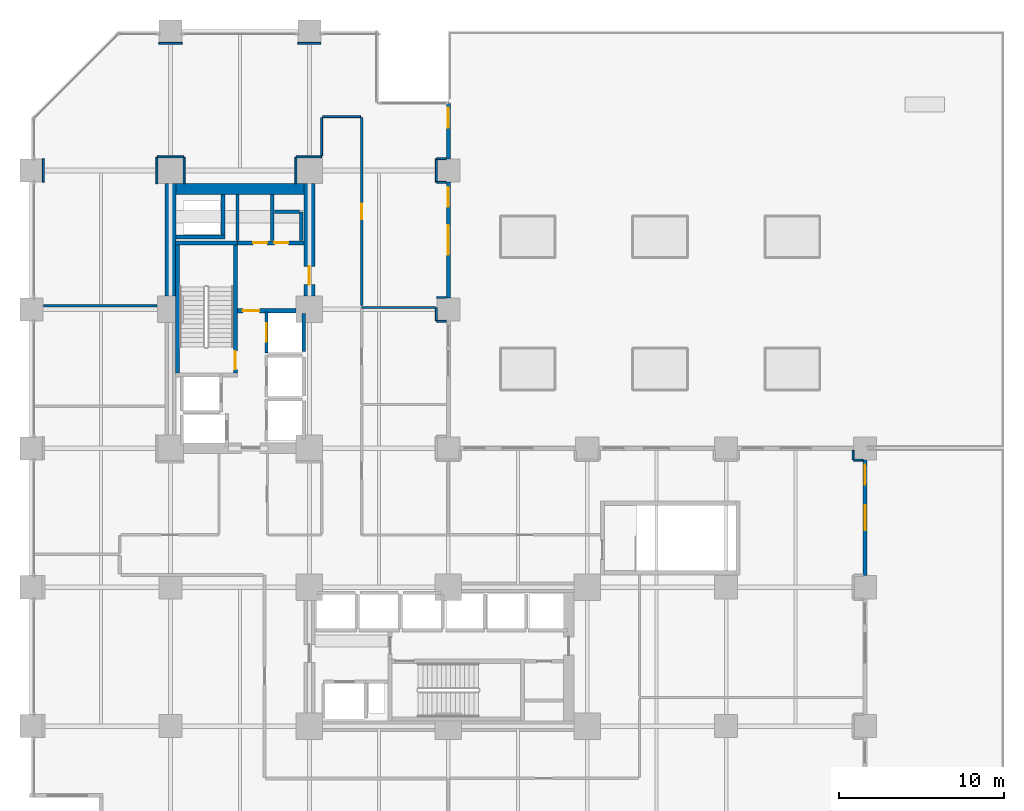
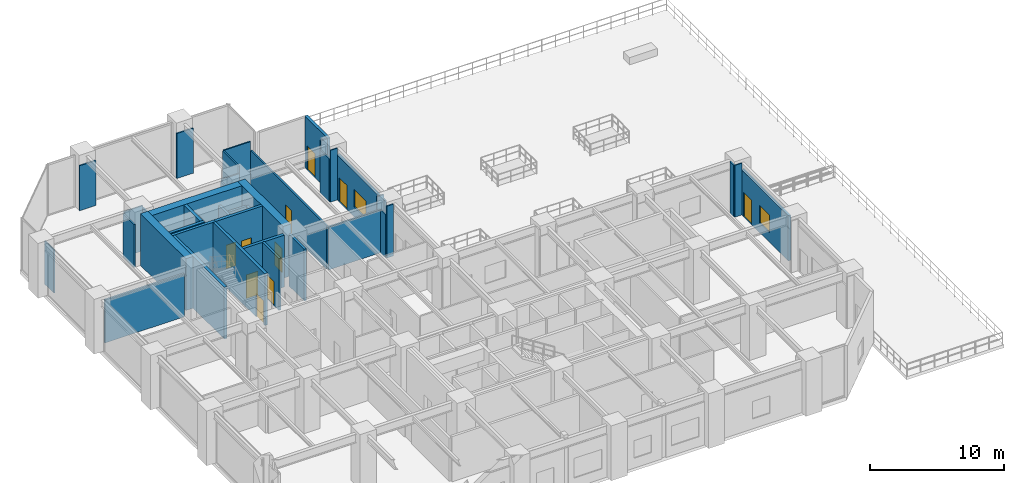
# One storey, part 16 of 21: 40 walls, 10 doors, 2 windows, 12 openings.
"""IFC4 building model written with IfcOpenShell, lengths in metres."""

from ifc_helpers import new_model, si_unit, direction, frame, frame_2d, origin, place, context, subcontext, project, spatial, rectangle, extrude, material, layer, layer_set, type_object, element, fill, save


model = new_model("IFC4")

# Units and contexts
model_context = context("Model", 3, precision=1e-05, world=origin(), true_north=direction((0.0, 1.0)))
body_context = subcontext(model_context, "Body", "Model", "MODEL_VIEW")
ifc_project = project(units=[si_unit("LENGTHUNIT", "METRE"), si_unit("AREAUNIT", "SQUARE_METRE"), si_unit("VOLUMEUNIT", "CUBIC_METRE"), si_unit("PLANEANGLEUNIT", "RADIAN"), si_unit("MASSUNIT", "GRAM", prefix="KILO")], contexts=[model_context])

# Site, building, storey
site_placement = place(None, origin())
site = spatial("IfcSite", under=ifc_project, at=site_placement, CompositionType="ELEMENT")
building_placement = place(site_placement, origin())
building = spatial("IfcBuilding", under=site, at=building_placement, Name="Nerrivon Quay Data Exchange", CompositionType="ELEMENT")
storey_placement = place(building_placement, frame((0.0, 0.0, 19.800048828125)))
storey = spatial("IfcBuildingStorey", under=building, at=storey_placement, Name="L04", CompositionType="ELEMENT", Elevation=19.800048828125)

# Wall, opening, door
ifc_material_1 = material(Name="Architectural terracotta precast concrete N50 (50 MPa)", Category="masonry")
ifc_layer_1 = layer(ifc_material_1, 0.239990234375)
ifc_layer_set_1 = layer_set([ifc_layer_1], Name="Architectural terracotta precast concrete N50 (50 MPa)")
wall_type_1 = type_object("IfcWallType", Name="EW-PREC-240", PredefinedType="STANDARD", material=ifc_layer_set_1)
wall_1_placement = place(storey_placement, frame((25.199951171875, 46.080078125, 0.0), z_axis=(0.0, 0.0, 1.0), x_axis=(0.0, -1.0, 0.0)))
wall_1 = element("IfcWall", 1, at=wall_1_placement, inside=storey, type_object=wall_type_1, Name="L04 Terrace Host Wall 25", PredefinedType="STANDARD", context=body_context, shape_type="SweptSolid", body=[
    extrude(rectangle(XDim=3.380126953125, YDim=0.239990234375, at=frame_2d((1.68994140625, 0.0))), origin(), (0.0, 0.0, 1.0), 4.724853515625),
])
opening_1_placement = place(wall_1_placement, frame((0.300048828125, 0.0, 0.0)))
opening_1 = element("IfcOpeningElement", 2, at=opening_1_placement, cuts=wall_1, Name="Opening TD1", PredefinedType="OPENING", context=body_context, shape_type="SweptSolid", body=[
    extrude(rectangle(XDim=1.199951171875, YDim=2.199951171875, at=frame_2d((0.60009765625, 1.10009765625))), frame((0.0, 0.1298828125, 0.0), z_axis=(0.0, -1.0, 0.0), x_axis=(1.0, 0.0, 0.0)), (0.0, 0.0, 1.0), 0.260009765625),
])
ifc_material_2 = material(Name="Double-glazed low-E solar control glass", Category="glass")
door_type_1 = type_object("IfcDoorType", Name="DR-TERR-1200x2200", OperationType="NOTDEFINED", PredefinedType="DOOR", material=ifc_material_2)
door_1_placement = place(opening_1_placement, origin())
door_1 = element("IfcDoor", 3, at=door_1_placement, inside=storey, type_object=door_type_1, Name="L04 Outdoor Terrace Access Door 25", OperationType="SINGLE_SWING_RIGHT", OverallHeight=2.199951171875, OverallWidth=1.199951171875, PredefinedType="DOOR", context=body_context, shape_type="SweptSolid", body=[
    extrude(rectangle(XDim=1.199951171875, YDim=2.199951171875, at=frame_2d((0.60009765625, 1.10009765625))), frame((0.0, 0.02490234375, 0.0), z_axis=(0.0, -1.0, 0.0), x_axis=(1.0, 0.0, 0.0)), (0.0, 0.0, 1.0), 0.050048828125),
])
fill(opening_1, door_1)

# Wall, openings, door, window
wall_2_placement = place(storey_placement, frame((25.199951171875, 41.300048828125, 0.0), z_axis=(0.0, 0.0, 1.0), x_axis=(0.0, -1.0, 0.0)))
wall_2 = element("IfcWall", 4, at=wall_2_placement, inside=storey, type_object=wall_type_1, Name="L04 Terrace Host Wall 26", PredefinedType="STANDARD", context=body_context, shape_type="SweptSolid", body=[
    extrude(rectangle(XDim=7.0, YDim=0.239990234375, at=frame_2d((3.5, 0.0))), origin(), (0.0, 0.0, 1.0), 4.113037109375),
])
opening_2_placement = place(wall_2_placement, frame((0.300048828125, 0.0, 0.0)))
opening_2 = element("IfcOpeningElement", 5, at=opening_2_placement, cuts=wall_2, Name="Opening TD1", PredefinedType="OPENING", context=body_context, shape_type="SweptSolid", body=[
    extrude(rectangle(XDim=1.199951171875, YDim=2.199951171875, at=frame_2d((0.60009765625, 1.10009765625))), frame((0.0, 0.1298828125, 0.0), z_axis=(0.0, -1.0, 0.0), x_axis=(1.0, 0.0, 0.0)), (0.0, 0.0, 1.0), 0.260009765625),
])
opening_3_placement = place(wall_2_placement, frame((2.60009765625, 0.0, 0.89990234375)))
opening_3 = element("IfcOpeningElement", 6, at=opening_3_placement, cuts=wall_2, Name="Opening WN2", PredefinedType="OPENING", context=body_context, shape_type="SweptSolid", body=[
    extrude(rectangle(XDim=1.800048828125, YDim=1.60009765625, at=frame_2d((0.89990234375, 0.800048828125))), frame((0.0, 0.1298828125, 0.0), z_axis=(0.0, -1.0, 0.0), x_axis=(1.0, 0.0, 0.0)), (0.0, 0.0, 1.0), 0.260009765625),
])
door_2_placement = place(opening_2_placement, origin())
door_2 = element("IfcDoor", 7, at=door_2_placement, inside=storey, type_object=door_type_1, Name="L04 Outdoor Terrace Access Door 26", OperationType="SINGLE_SWING_LEFT", OverallHeight=2.199951171875, OverallWidth=1.199951171875, PredefinedType="DOOR", context=body_context, shape_type="SweptSolid", body=[
    extrude(rectangle(XDim=1.199951171875, YDim=2.199951171875, at=frame_2d((0.60009765625, 1.10009765625))), frame((0.0, 0.02490234375, 0.0), z_axis=(0.0, -1.0, 0.0), x_axis=(1.0, 0.0, 0.0)), (0.0, 0.0, 1.0), 0.050048828125),
])
fill(opening_2, door_2)
window_type_1 = type_object("IfcWindowType", Name="WIN-W2-1800x1600", PartitioningType="SINGLE_PANEL", PredefinedType="WINDOW", material=ifc_material_2)
window_1_placement = place(opening_3_placement, origin())
window_1 = element("IfcWindow", 8, at=window_1_placement, inside=storey, type_object=window_type_1, Name="L04 Terrace Side Window 26", OverallHeight=1.60009765625, OverallWidth=1.800048828125, PartitioningType="SINGLE_PANEL", PredefinedType="WINDOW", context=body_context, shape_type="SweptSolid", body=[
    extrude(rectangle(XDim=1.800048828125, YDim=1.60009765625, at=frame_2d((0.89990234375, 0.800048828125))), frame((0.0, 0.030029296875, 0.0), z_axis=(0.0, -1.0, 0.0), x_axis=(1.0, 0.0, 0.0)), (0.0, 0.0, 1.0), 0.06005859375),
])
fill(opening_3, window_1)

wall_3_placement = place(storey_placement, frame((50.39990234375, 24.5, 0.0), z_axis=(0.0, 0.0, 1.0), x_axis=(0.0, -1.0, 0.0)))
wall_3 = element("IfcWall", 9, at=wall_3_placement, inside=storey, type_object=wall_type_1, Name="L04 Terrace Host Wall 31", PredefinedType="STANDARD", context=body_context, shape_type="SweptSolid", body=[
    extrude(rectangle(XDim=7.0, YDim=0.239990234375, at=frame_2d((3.5, 0.0))), origin(), (0.0, 0.0, 1.0), 4.113037109375),
])
opening_4_placement = place(wall_3_placement, frame((0.300048828125, 0.0, 0.0)))
opening_4 = element("IfcOpeningElement", 10, at=opening_4_placement, cuts=wall_3, Name="Opening TD1", PredefinedType="OPENING", context=body_context, shape_type="SweptSolid", body=[
    extrude(rectangle(XDim=1.199951171875, YDim=2.199951171875, at=frame_2d((0.60009765625, 1.10009765625))), frame((0.0, 0.1298828125, 0.0), z_axis=(0.0, -1.0, 0.0), x_axis=(1.0, 0.0, 0.0)), (0.0, 0.0, 1.0), 0.260009765625),
])
opening_5_placement = place(wall_3_placement, frame((2.75, 0.0, 0.89990234375)))
opening_5 = element("IfcOpeningElement", 11, at=opening_5_placement, cuts=wall_3, Name="Opening WN4", PredefinedType="OPENING", context=body_context, shape_type="SweptSolid", body=[
    extrude(rectangle(XDim=1.5, YDim=1.60009765625, at=frame_2d((0.75, 0.800048828125))), frame((0.0, 0.1298828125, 0.0), z_axis=(0.0, -1.0, 0.0), x_axis=(1.0, 0.0, 0.0)), (0.0, 0.0, 1.0), 0.260009765625),
])
door_3_placement = place(opening_4_placement, origin())
door_3 = element("IfcDoor", 12, at=door_3_placement, inside=storey, type_object=door_type_1, Name="L04 Outdoor Terrace Access Door 31", OperationType="SINGLE_SWING_RIGHT", OverallHeight=2.199951171875, OverallWidth=1.199951171875, PredefinedType="DOOR", context=body_context, shape_type="SweptSolid", body=[
    extrude(rectangle(XDim=1.199951171875, YDim=2.199951171875, at=frame_2d((0.60009765625, 1.10009765625))), frame((0.0, 0.02490234375, 0.0), z_axis=(0.0, -1.0, 0.0), x_axis=(1.0, 0.0, 0.0)), (0.0, 0.0, 1.0), 0.050048828125),
])
fill(opening_4, door_3)
window_type_2 = type_object("IfcWindowType", Name="WIN-W4-1500x1600", PartitioningType="SINGLE_PANEL", PredefinedType="WINDOW", material=ifc_material_2)
window_2_placement = place(opening_5_placement, origin())
window_2 = element("IfcWindow", 13, at=window_2_placement, inside=storey, type_object=window_type_2, Name="L04 Terrace Side Window 31", OverallHeight=1.60009765625, OverallWidth=1.5, PartitioningType="SINGLE_PANEL", PredefinedType="WINDOW", context=body_context, shape_type="SweptSolid", body=[
    extrude(rectangle(XDim=1.5, YDim=1.60009765625, at=frame_2d((0.75, 0.800048828125))), frame((0.0, 0.030029296875, 0.0), z_axis=(0.0, -1.0, 0.0), x_axis=(1.0, 0.0, 0.0)), (0.0, 0.0, 1.0), 0.06005859375),
])
fill(opening_5, window_2)

# Walls
ifc_material_3 = material(Name="Concrete N80 (80 MPa)", Category="concrete")
ifc_layer_2 = layer(ifc_material_3, 0.64990234375)
ifc_layer_set_2 = layer_set([ifc_layer_2], Name="Concrete N80 (80 MPa)")
wall_type_2 = type_object("IfcWallType", Name="WALL-CW-850", PredefinedType="SHEAR", material=ifc_layer_set_2)
wall_4_placement = place(storey_placement, frame((8.39990234375, 34.39990234375, 0.0), z_axis=(0.0, 0.0, 1.0), x_axis=(0.0, 1.0, 0.0)))
element("IfcWall", 14, at=wall_4_placement, inside=storey, type_object=wall_type_2, Name="L04 West Split-Core Shear Wall WCW-W2", PredefinedType="SHEAR", context=body_context, shape_type="SweptSolid", body=[
    extrude(rectangle(XDim=6.800048828125, YDim=0.64990234375, at=frame_2d((3.39990234375, 0.0))), origin(), (0.0, 0.0, 1.0), 4.724853515625),
])
wall_5_placement = place(storey_placement, frame((8.72509765625, 40.875, 0.0), z_axis=(0.0, 0.0, 1.0), x_axis=(1.0, 0.0, 0.0)))
element("IfcWall", 15, at=wall_5_placement, inside=storey, type_object=wall_type_2, Name="L04 West Split-Core Shear Wall WCW-N1", PredefinedType="SHEAR", context=body_context, shape_type="SweptSolid", body=[
    extrude(rectangle(XDim=7.75, YDim=0.64990234375, at=frame_2d((3.875, 0.0))), origin(), (0.0, 0.0, 1.0), 4.724853515625),
])

# Wall, opening, door
wall_6_placement = place(storey_placement, frame((16.800048828125, 34.39990234375, 0.0), z_axis=(0.0, 0.0, 1.0), x_axis=(0.0, 1.0, 0.0)))
wall_6 = element("IfcWall", 16, at=wall_6_placement, inside=storey, type_object=wall_type_2, Name="L04 West Split-Core Shear Wall WCW-E1", PredefinedType="SHEAR", context=body_context, shape_type="SweptSolid", body=[
    extrude(rectangle(XDim=6.800048828125, YDim=0.64990234375, at=frame_2d((3.39990234375, 0.0))), origin(), (0.0, 0.0, 1.0), 4.724853515625),
])
opening_6_placement = place(wall_6_placement, frame((0.699951171875, 0.0, 0.0)))
opening_6 = element("IfcOpeningElement", 17, at=opening_6_placement, cuts=wall_6, Name="Opening FD-120", PredefinedType="OPENING", context=body_context, shape_type="SweptSolid", body=[
    extrude(rectangle(XDim=1.10009765625, YDim=2.14990234375, at=frame_2d((0.550048828125, 1.074951171875))), frame((0.0, 0.3349609375, 0.0), z_axis=(0.0, -1.0, 0.0), x_axis=(1.0, 0.0, 0.0)), (0.0, 0.0, 1.0), 0.669921875),
])
ifc_material_4 = material(Name="Powder-coated galvanized steel sheet", Category="steel")
door_type_2 = type_object("IfcDoorType", Name="DR-FD120-1100", OperationType="NOTDEFINED", PredefinedType="DOOR", material=ifc_material_4)
door_4_placement = place(opening_6_placement, origin())
door_4 = element("IfcDoor", 18, at=door_4_placement, inside=storey, type_object=door_type_2, Name="L04 West Core Lobby Fire Door", OperationType="SINGLE_SWING_RIGHT", OverallHeight=2.14990234375, OverallWidth=1.10009765625, PredefinedType="DOOR", context=body_context, shape_type="SweptSolid", body=[
    extrude(rectangle(XDim=1.10009765625, YDim=2.14990234375, at=frame_2d((0.550048828125, 1.074951171875))), frame((0.0, 0.02490234375, 0.0), z_axis=(0.0, -1.0, 0.0), x_axis=(1.0, 0.0, 0.0)), (0.0, 0.0, 1.0), 0.050048828125),
])
fill(opening_6, door_4)

ifc_material_5 = material(Name="Gypsum plasterboard on cold-formed framing", Category="gypsum")
ifc_layer_3 = layer(ifc_material_5, 0.199951171875)
ifc_layer_set_3 = layer_set([ifc_layer_3], Name="Gypsum plasterboard on cold-formed framing")
wall_type_3 = type_object("IfcWallType", Name="WALL-FW-200", PredefinedType="PARTITIONING", material=ifc_layer_set_3)
wall_7_placement = place(storey_placement, frame((14.199951171875, 30.949951171875, 0.0), z_axis=(0.0, 0.0, 1.0), x_axis=(0.0, 1.0, 0.0)))
wall_7 = element("IfcWall", 19, at=wall_7_placement, inside=storey, type_object=wall_type_3, Name="L04 Lift Front Wall PL3", PredefinedType="PARTITIONING", context=body_context, shape_type="SweptSolid", body=[
    extrude(rectangle(XDim=2.5, YDim=0.199951171875, at=frame_2d((1.25, 0.0))), origin(), (0.0, 0.0, 1.0), 4.724853515625),
])
opening_7_placement = place(wall_7_placement, frame((0.699951171875, 0.0, 0.0)))
opening_7 = element("IfcOpeningElement", 20, at=opening_7_placement, cuts=wall_7, Name="Opening LD-120", PredefinedType="OPENING", context=body_context, shape_type="SweptSolid", body=[
    extrude(rectangle(XDim=1.10009765625, YDim=2.199951171875, at=frame_2d((0.550048828125, 1.10009765625))), frame((0.0, 0.10986328125, 0.0), z_axis=(0.0, -1.0, 0.0), x_axis=(1.0, 0.0, 0.0)), (0.0, 0.0, 1.0), 0.219970703125),
])
door_type_3 = type_object("IfcDoorType", Name="DR-LIFT-LD120", OperationType="DOUBLE_DOOR_SLIDING", PredefinedType="DOOR", material=ifc_material_4)
door_5_placement = place(opening_7_placement, origin())
door_5 = element("IfcDoor", 21, at=door_5_placement, inside=storey, type_object=door_type_3, Name="L04 Lift Landing Sliding Door PL3", OperationType="DOUBLE_DOOR_SLIDING", OverallHeight=2.199951171875, OverallWidth=1.10009765625, PredefinedType="DOOR", context=body_context, shape_type="SweptSolid", body=[
    extrude(rectangle(XDim=1.10009765625, YDim=2.199951171875, at=frame_2d((0.550048828125, 1.10009765625))), frame((0.0, 0.02490234375, 0.0), z_axis=(0.0, -1.0, 0.0), x_axis=(1.0, 0.0, 0.0)), (0.0, 0.0, 1.0), 0.050048828125),
])
fill(opening_7, door_5)

# Walls
wall_8_placement = place(storey_placement, frame((16.449951171875, 31.050048828125, 0.0), z_axis=(0.0, 0.0, 1.0), x_axis=(0.0, 1.0, 0.0)))
element("IfcWall", 22, at=wall_8_placement, inside=storey, type_object=wall_type_3, Name="L04 Lift Shaft Wall PL3 EAST", PredefinedType="PARTITIONING", context=body_context, shape_type="SweptSolid", body=[
    extrude(rectangle(XDim=2.300048828125, YDim=0.199951171875, at=frame_2d((1.14990234375, 0.0))), origin(), (0.0, 0.0, 1.0), 4.724853515625),
])
for number, where, z_axis, x_axis, name in (
    (23, (14.550048828125, 37.780029296875, 0.0), (0.0, 0.0, 1.0), (0.0, 1.0, 0.0), "L04 Partition Electrical Switchboard Closet"),
    (24, (12.449951171875, 40.5458984375, 0.0), (0.0, 0.0, 1.0), (0.0, -1.0, 0.0), "L04 Partition Electrical Switchboard Closet"),
):
    element("IfcWall", number, at=place(storey_placement, frame(where, z_axis=z_axis, x_axis=x_axis)), inside=storey, type_object=wall_type_3, Name=name, PredefinedType="PARTITIONING", context=body_context, shape_type="SweptSolid", body=[
        extrude(rectangle(XDim=2.765869140625, YDim=0.199951171875, at=frame_2d((1.3828125, 0.0))), origin(), (0.0, 0.0, 1.0), 3.625),
    ])
wall_9_placement = place(storey_placement, frame((16.300048828125, 37.780029296875, 0.0), z_axis=(0.0, 0.0, 1.0), x_axis=(0.0, 1.0, 0.0)))
element("IfcWall", 25, at=wall_9_placement, inside=storey, type_object=wall_type_3, Name="L04 Partition Janitor Closet", PredefinedType="PARTITIONING", context=body_context, shape_type="SweptSolid", body=[
    extrude(rectangle(XDim=1.719970703125, YDim=0.199951171875, at=frame_2d((0.85986328125, 0.0))), origin(), (0.0, 0.0, 1.0), 3.625),
])
wall_10_placement = place(storey_placement, frame((16.196044921875, 39.5, 0.0), z_axis=(0.0, 0.0, 1.0), x_axis=(-1.0, 0.0, 0.0)))
element("IfcWall", 26, at=wall_10_placement, inside=storey, type_object=wall_type_3, Name="L04 Partition Janitor Closet", PredefinedType="PARTITIONING", context=body_context, shape_type="SweptSolid", body=[
    extrude(rectangle(XDim=1.506103515625, YDim=0.199951171875, at=frame_2d((0.7529296875, 0.0))), origin(), (0.0, 0.0, 1.0), 3.625),
])
ifc_layer_4 = layer(ifc_material_5, 0.1201171875)
ifc_layer_set_4 = layer_set([ifc_layer_4], Name="Gypsum plasterboard on cold-formed framing")
wall_type_4 = type_object("IfcWallType", Name="WALL-PT-120", PredefinedType="PARTITIONING", material=ifc_layer_set_4)
wall_11_placement = place(storey_placement, frame((25.075927734375, 32.8798828125, 0.0), z_axis=(0.0, 0.0, 1.0), x_axis=(-1.0, 0.0, 0.0)))
element("IfcWall", 27, at=wall_11_placement, inside=storey, type_object=wall_type_4, Name="L04 Partition Staff Pantry", PredefinedType="PARTITIONING", context=body_context, shape_type="SweptSolid", body=[
    extrude(rectangle(XDim=0.575927734375, YDim=0.1201171875, at=frame_2d((0.2880859375, 0.0))), origin(), (0.0, 0.0, 1.0), 4.724853515625),
])
wall_12_placement = place(storey_placement, frame((24.47998046875, 32.89990234375, 0.0), z_axis=(0.0, 0.0, 1.0), x_axis=(0.0, 1.0, 0.0)))
element("IfcWall", 28, at=wall_12_placement, inside=storey, type_object=wall_type_4, Name="L04 Partition Staff Pantry", PredefinedType="PARTITIONING", context=body_context, shape_type="SweptSolid", body=[
    extrude(rectangle(XDim=0.814208984375, YDim=0.1201171875, at=frame_2d((0.4072265625, 0.0))), origin(), (0.0, 0.0, 1.0), 3.925048828125),
])
for number, where, z_axis, x_axis, name in (
    (29, (50.27587890625, 24.47998046875, 0.0), (0.0, 0.0, 1.0), (-1.0, 0.0, 0.0), "L04 Partition Staff Bistro"),
    (30, (49.679931640625, 24.5, 0.0), (0.0, 0.0, 1.0), (0.0, 1.0, 0.0), "L04 Partition Staff Bistro"),
):
    element("IfcWall", number, at=place(storey_placement, frame(where, z_axis=z_axis, x_axis=x_axis)), inside=storey, type_object=wall_type_4, Name=name, PredefinedType="PARTITIONING", context=body_context, shape_type="SweptSolid", body=[
        extrude(rectangle(XDim=0.575927734375, YDim=0.1201171875, at=frame_2d((0.2880859375, 0.0))), origin(), (0.0, 0.0, 1.0), 4.724853515625),
    ])
wall_13_placement = place(storey_placement, frame((17.5, 49.679931640625, 0.0), z_axis=(0.0, 0.0, 1.0), x_axis=(-1.0, 0.0, 0.0)))
element("IfcWall", 31, at=wall_13_placement, inside=storey, type_object=wall_type_4, Name="L04 Partition Technical Library", PredefinedType="PARTITIONING", context=body_context, shape_type="SweptSolid", body=[
    extrude(rectangle(XDim=1.39990234375, YDim=0.1201171875, at=frame_2d((0.699951171875, 0.0))), origin(), (0.0, 0.0, 1.0), 4.113037109375),
])
wall_14_placement = place(storey_placement, frame((9.10009765625, 49.679931640625, 0.0), z_axis=(0.0, 0.0, 1.0), x_axis=(-1.0, 0.0, 0.0)))
element("IfcWall", 32, at=wall_14_placement, inside=storey, type_object=wall_type_4, Name="L04 Partition Technical Library", PredefinedType="PARTITIONING", context=body_context, shape_type="SweptSolid", body=[
    extrude(rectangle(XDim=1.400146484375, YDim=0.1201171875, at=frame_2d((0.7001953125, 0.0))), origin(), (0.0, 0.0, 1.0), 4.113037109375),
])
wall_15_placement = place(storey_placement, frame((0.719970703125, 42.699951171875, 0.0), z_axis=(0.0, 0.0, 1.0), x_axis=(0.0, -1.0, 0.0)))
element("IfcWall", 33, at=wall_15_placement, inside=storey, type_object=wall_type_4, Name="L04 Partition Technical Library", PredefinedType="PARTITIONING", context=body_context, shape_type="SweptSolid", body=[
    extrude(rectangle(XDim=1.39990234375, YDim=0.1201171875, at=frame_2d((0.699951171875, 0.0))), origin(), (0.0, 0.0, 1.0), 3.925048828125),
])
wall_16_placement = place(storey_placement, frame((7.580810546875, 41.194091796875, 0.0), z_axis=(0.0, 0.0, 1.0), x_axis=(-0.000456065626, 0.999999896002, 0.0)))
element("IfcWall", 34, at=wall_16_placement, inside=storey, type_object=wall_type_4, Name="L04 Partition Technical Library", PredefinedType="PARTITIONING", context=body_context, shape_type="SweptSolid", body=[
    extrude(rectangle(XDim=1.60595703125, YDim=0.1201171875, at=frame_2d((0.802978515625, 0.0))), origin(), (0.0, 0.0, 1.0), 3.925048828125),
])
wall_17_placement = place(storey_placement, frame((7.60009765625, 42.820068359375, 0.0), z_axis=(0.0, 0.0, 1.0), x_axis=(1.0, 0.0, 0.0)))
element("IfcWall", 35, at=wall_17_placement, inside=storey, type_object=wall_type_4, Name="L04 Partition Technical Library", PredefinedType="PARTITIONING", context=body_context, shape_type="SweptSolid", body=[
    extrude(rectangle(XDim=1.599853515625, YDim=0.1201171875, at=frame_2d((0.7998046875, 0.0))), origin(), (0.0, 0.0, 1.0), 4.113037109375),
])
for number, where, z_axis, x_axis, name in (
    (36, (9.219970703125, 42.800048828125, 0.0), (0.0, 0.0, 1.0), (0.0, -1.0, 0.0), "L04 Partition Technical Library"),
    (37, (15.97998046875, 41.2041015625, 0.0), (0.0, 0.0, 1.0), (0.0, 1.0, 0.0), "L04 Partition Technical Library"),
):
    element("IfcWall", number, at=place(storey_placement, frame(where, z_axis=z_axis, x_axis=x_axis)), inside=storey, type_object=wall_type_4, Name=name, PredefinedType="PARTITIONING", context=body_context, shape_type="SweptSolid", body=[
        extrude(rectangle(XDim=1.595947265625, YDim=0.1201171875, at=frame_2d((0.7978515625, 0.0))), origin(), (0.0, 0.0, 1.0), 3.925048828125),
    ])
wall_18_placement = place(storey_placement, frame((16.0, 42.820068359375, 0.0), z_axis=(0.0, 0.0, 1.0), x_axis=(1.0, 0.0, 0.0)))
element("IfcWall", 38, at=wall_18_placement, inside=storey, type_object=wall_type_4, Name="L04 Partition Technical Library", PredefinedType="PARTITIONING", context=body_context, shape_type="SweptSolid", body=[
    extrude(rectangle(XDim=1.5400390625, YDim=0.1201171875, at=frame_2d((0.77001953125, 0.0))), origin(), (0.0, 0.0, 1.0), 4.113037109375),
])
wall_19_placement = place(storey_placement, frame((17.5400390625, 42.884033203125, 0.0), z_axis=(0.0, 0.0, 1.0), x_axis=(0.0, 1.0, 0.0)))
element("IfcWall", 39, at=wall_19_placement, inside=storey, type_object=wall_type_4, Name="L04 Partition Technical Library", PredefinedType="PARTITIONING", context=body_context, shape_type="SweptSolid", body=[
    extrude(rectangle(XDim=2.31591796875, YDim=0.1201171875, at=frame_2d((1.157958984375, 0.0))), origin(), (0.0, 0.0, 1.0), 4.724853515625),
])
wall_20_placement = place(storey_placement, frame((17.593994140625, 45.259765625, 0.0), z_axis=(0.0, 0.0, 1.0), x_axis=(0.999999994395, 0.000105876124, 0.0)))
element("IfcWall", 40, at=wall_20_placement, inside=storey, type_object=wall_type_4, Name="L04 Partition Technical Library", PredefinedType="PARTITIONING", context=body_context, shape_type="SweptSolid", body=[
    extrude(rectangle(XDim=2.305908203125, YDim=0.1201171875, at=frame_2d((1.15283203125, 0.0))), origin(), (0.0, 0.0, 1.0), 4.724853515625),
])
for number, where, z_axis, x_axis, name in (
    (41, (24.5, 34.320068359375, 0.0), (0.0, 0.0, 1.0), (1.0, 0.0, 0.0), "L04 Partition Technical Library"),
    (42, (25.075927734375, 41.280029296875, 0.0), (0.0, 0.0, 1.0), (-1.0, 0.0, 0.0), "L04 Partition Technical Library"),
):
    element("IfcWall", number, at=place(storey_placement, frame(where, z_axis=z_axis, x_axis=x_axis)), inside=storey, type_object=wall_type_4, Name=name, PredefinedType="PARTITIONING", context=body_context, shape_type="SweptSolid", body=[
        extrude(rectangle(XDim=0.575927734375, YDim=0.1201171875, at=frame_2d((0.2880859375, 0.0))), origin(), (0.0, 0.0, 1.0), 4.724853515625),
    ])
wall_21_placement = place(storey_placement, frame((24.47998046875, 41.300048828125, 0.0), z_axis=(0.0, 0.0, 1.0), x_axis=(0.0, 1.0, 0.0)))
element("IfcWall", 43, at=wall_21_placement, inside=storey, type_object=wall_type_4, Name="L04 Partition Technical Library", PredefinedType="PARTITIONING", context=body_context, shape_type="SweptSolid", body=[
    extrude(rectangle(XDim=1.39990234375, YDim=0.1201171875, at=frame_2d((0.699951171875, 0.0))), origin(), (0.0, 0.0, 1.0), 3.925048828125),
])
wall_22_placement = place(storey_placement, frame((24.5, 42.719970703125, 0.0), z_axis=(0.0, 0.0, 1.0), x_axis=(1.0, 0.0, 0.0)))
element("IfcWall", 44, at=wall_22_placement, inside=storey, type_object=wall_type_4, Name="L04 Partition Technical Library", PredefinedType="PARTITIONING", context=body_context, shape_type="SweptSolid", body=[
    extrude(rectangle(XDim=0.575927734375, YDim=0.1201171875, at=frame_2d((0.2880859375, 0.0))), origin(), (0.0, 0.0, 1.0), 4.724853515625),
])
ifc_layer_5 = layer(ifc_material_5, 0.135009765625)
ifc_layer_set_5 = layer_set([ifc_layer_5], Name="Gypsum plasterboard on cold-formed framing")
wall_type_5 = type_object("IfcWallType", Name="WALL-PT-135", PredefinedType="PARTITIONING", material=ifc_layer_set_5)
wall_23_placement = place(storey_placement, frame((24.416015625, 33.714111328125, 0.0), z_axis=(0.0, 0.0, 1.0), x_axis=(-1.0, 0.0, 0.0)))
element("IfcWall", 45, at=wall_23_placement, inside=storey, type_object=wall_type_5, Name="L04 Partition Staff Pantry", PredefinedType="PARTITIONING", context=body_context, shape_type="SweptSolid", body=[
    extrude(rectangle(XDim=4.456298828125, YDim=0.135009765625, at=frame_2d((2.22802734375, 0.0))), origin(), (0.0, 0.0, 1.0), 3.925048828125),
])
ifc_layer_6 = layer(ifc_material_5, 0.14990234375)
ifc_layer_set_6 = layer_set([ifc_layer_6], Name="Gypsum plasterboard on cold-formed framing")
wall_type_6 = type_object("IfcWallType", Name="WALL-PT-150", PredefinedType="PARTITIONING", material=ifc_layer_set_6)
wall_24_placement = place(storey_placement, frame((0.719970703125, 33.833984375, 0.0), z_axis=(0.0, 0.0, 1.0), x_axis=(1.0, 0.0, 0.0)))
element("IfcWall", 46, at=wall_24_placement, inside=storey, type_object=wall_type_6, Name="L04 Partition Technical Library", PredefinedType="PARTITIONING", context=body_context, shape_type="SweptSolid", body=[
    extrude(rectangle(XDim=6.860107421875, YDim=0.14990234375, at=frame_2d((3.43017578125, 0.0))), origin(), (0.0, 0.0, 1.0), 3.925048828125),
])

# Wall, opening, door
wall_25_placement = place(storey_placement, frame((19.959716796875, 45.205810546875, 0.0), z_axis=(0.0, 0.0, 1.0), x_axis=(0.0, -1.0, 0.0)))
wall_25 = element("IfcWall", 47, at=wall_25_placement, inside=storey, type_object=wall_type_6, Name="L04 Partition Technical Library", PredefinedType="PARTITIONING", context=body_context, shape_type="SweptSolid", body=[
    extrude(rectangle(XDim=11.371826171875, YDim=0.14990234375, at=frame_2d((5.68603515625, 0.0))), origin(), (0.0, 0.0, 1.0), 3.925048828125),
])
opening_8_placement = place(wall_25_placement, frame((5.2109375, 0.0, 0.0)))
opening_8 = element("IfcOpeningElement", 48, at=opening_8_placement, cuts=wall_25, Name="Opening D-01", PredefinedType="OPENING", context=body_context, shape_type="SweptSolid", body=[
    extrude(rectangle(XDim=0.949951171875, YDim=2.14990234375, at=frame_2d((0.47509765625, 1.074951171875))), frame((0.0, 0.0849609375, 0.0), z_axis=(0.0, -1.0, 0.0), x_axis=(1.0, 0.0, 0.0)), (0.0, 0.0, 1.0), 0.169921875),
])
ifc_material_6 = material(Name="Engineered hardwood timber", Category="wood")
door_type_4 = type_object("IfcDoorType", Name="DR-INT-950", OperationType="NOTDEFINED", PredefinedType="DOOR", material=ifc_material_6)
door_6_placement = place(opening_8_placement, origin())
door_6 = element("IfcDoor", 49, at=door_6_placement, inside=storey, type_object=door_type_4, Name="L04 Door Technical Library", OperationType="SINGLE_SWING_RIGHT", OverallHeight=2.14990234375, OverallWidth=0.949951171875, PredefinedType="DOOR", context=body_context, shape_type="SweptSolid", body=[
    extrude(rectangle(XDim=0.949951171875, YDim=2.14990234375, at=frame_2d((0.47509765625, 1.074951171875))), frame((0.0, 0.02490234375, 0.0), z_axis=(0.0, -1.0, 0.0), x_axis=(1.0, 0.0, 0.0)), (0.0, 0.0, 1.0), 0.050048828125),
])
fill(opening_8, door_6)

# Wall
ifc_material_7 = material(Name="Concrete N50 (50 MPa)", Category="concrete")
ifc_layer_7 = layer(ifc_material_7, 0.25)
ifc_layer_set_7 = layer_set([ifc_layer_7], Name="Concrete N50 (50 MPa)")
wall_type_7 = type_object("IfcWallType", Name="WALL-SW-250", PredefinedType="SHEAR", material=ifc_layer_set_7)
wall_26_placement = place(storey_placement, frame((12.449951171875, 37.625, 0.0), z_axis=(0.0, 0.0, 1.0), x_axis=(-1.0, 0.0, 0.0)))
element("IfcWall", 50, at=wall_26_placement, inside=storey, type_object=wall_type_7, Name="L04 ST01 Structural Stair Core Wall FAR", PredefinedType="SHEAR", context=body_context, shape_type="SweptSolid", body=[
    extrude(rectangle(XDim=3.75, YDim=0.25, at=frame_2d((1.875, 0.0))), origin(), (0.0, 0.0, 1.0), 4.724853515625),
])

# Wall, opening, door
wall_27_placement = place(storey_placement, frame((12.324951171875, 29.75, 0.0), z_axis=(0.0, 0.0, 1.0), x_axis=(0.0, 1.0, 0.0)))
wall_27 = element("IfcWall", 51, at=wall_27_placement, inside=storey, type_object=wall_type_7, Name="L04 ST01 Structural Stair Core Wall LEFT", PredefinedType="SHEAR", context=body_context, shape_type="SweptSolid", body=[
    extrude(rectangle(XDim=7.75, YDim=0.25, at=frame_2d((3.875, 0.0))), origin(), (0.0, 0.0, 1.0), 4.724853515625),
])
opening_9_placement = place(wall_27_placement, frame((0.219970703125, 0.0, 0.0)))
opening_9 = element("IfcOpeningElement", 52, at=opening_9_placement, cuts=wall_27, Name="Opening FD-120", PredefinedType="OPENING", context=body_context, shape_type="SweptSolid", body=[
    extrude(rectangle(XDim=1.10009765625, YDim=2.14990234375, at=frame_2d((0.550048828125, 1.074951171875))), frame((0.0, 0.135009765625, 0.0), z_axis=(0.0, -1.0, 0.0), x_axis=(1.0, 0.0, 0.0)), (0.0, 0.0, 1.0), 0.27001953125),
])
door_7_placement = place(opening_9_placement, origin())
door_7 = element("IfcDoor", 53, at=door_7_placement, inside=storey, type_object=door_type_2, Name="L04 Protected Stair Door ST01", OperationType="SINGLE_SWING_RIGHT", OverallHeight=2.14990234375, OverallWidth=1.10009765625, PredefinedType="DOOR", context=body_context, shape_type="SweptSolid", body=[
    extrude(rectangle(XDim=1.10009765625, YDim=2.14990234375, at=frame_2d((0.550048828125, 1.074951171875))), frame((0.0, 0.02490234375, 0.0), z_axis=(0.0, -1.0, 0.0), x_axis=(1.0, 0.0, 0.0)), (0.0, 0.0, 1.0), 0.050048828125),
])
fill(opening_9, door_7)

# Walls
wall_28_placement = place(storey_placement, frame((8.824951171875, 29.75, 0.0), z_axis=(0.0, 0.0, 1.0), x_axis=(0.0, 1.0, 0.0)))
element("IfcWall", 54, at=wall_28_placement, inside=storey, type_object=wall_type_7, Name="L04 ST01 Structural Stair Core Wall RIGHT", PredefinedType="SHEAR", context=body_context, shape_type="SweptSolid", body=[
    extrude(rectangle(XDim=7.75, YDim=0.25, at=frame_2d((3.875, 0.0))), origin(), (0.0, 0.0, 1.0), 4.724853515625),
])
wall_29_placement = place(storey_placement, frame((8.72509765625, 37.97509765625, 0.0), z_axis=(0.0, 0.0, 1.0), x_axis=(1.0, 0.0, 0.0)))
element("IfcWall", 55, at=wall_29_placement, inside=storey, type_object=wall_type_7, Name="L04 West Core MEP Riser Shaft Wall S", PredefinedType="SHEAR", context=body_context, shape_type="SweptSolid", body=[
    extrude(rectangle(XDim=2.974853515625, YDim=0.25, at=frame_2d((1.4873046875, 0.0))), origin(), (0.0, 0.0, 1.0), 4.724853515625),
])
wall_30_placement = place(storey_placement, frame((11.574951171875, 38.10009765625, 0.0), z_axis=(0.0, 0.0, 1.0), x_axis=(0.0, 1.0, 0.0)))
element("IfcWall", 56, at=wall_30_placement, inside=storey, type_object=wall_type_7, Name="L04 West Core MEP Riser Shaft Wall E", PredefinedType="SHEAR", context=body_context, shape_type="SweptSolid", body=[
    extrude(rectangle(XDim=2.449951171875, YDim=0.25, at=frame_2d((1.22509765625, 0.0))), origin(), (0.0, 0.0, 1.0), 4.724853515625),
])

# Wall, opening, door
wall_31_placement = place(storey_placement, frame((12.449951171875, 33.52001953125, 0.0), z_axis=(0.0, 0.0, 1.0), x_axis=(1.0, 0.0, 0.0)))
wall_31 = element("IfcWall", 57, at=wall_31_placement, inside=storey, type_object=wall_type_7, Name="L04 West Lobby Smoke-Stop Wall", PredefinedType="SHEAR", context=body_context, shape_type="SweptSolid", body=[
    extrude(rectangle(XDim=3.550048828125, YDim=0.25, at=frame_2d((1.77490234375, 0.0))), origin(), (0.0, 0.0, 1.0), 4.724853515625),
])
opening_10_placement = place(wall_31_placement, frame((0.320068359375, 0.0, 0.0)))
opening_10 = element("IfcOpeningElement", 58, at=opening_10_placement, cuts=wall_31, Name="Opening FD-60", PredefinedType="OPENING", context=body_context, shape_type="SweptSolid", body=[
    extrude(rectangle(XDim=1.0, YDim=2.14990234375, at=frame_2d((0.5, 1.074951171875))), frame((0.0, 0.135009765625, 0.0), z_axis=(0.0, -1.0, 0.0), x_axis=(1.0, 0.0, 0.0)), (0.0, 0.0, 1.0), 0.27001953125),
])
door_type_5 = type_object("IfcDoorType", Name="DR-FD60-1000", OperationType="NOTDEFINED", PredefinedType="DOOR", material=ifc_material_6)
door_8_placement = place(opening_10_placement, origin())
door_8 = element("IfcDoor", 59, at=door_8_placement, inside=storey, type_object=door_type_5, Name="L04 West Firefighting Lobby Fire Door", OperationType="SINGLE_SWING_LEFT", OverallHeight=2.14990234375, OverallWidth=1.0, PredefinedType="DOOR", context=body_context, shape_type="SweptSolid", body=[
    extrude(rectangle(XDim=1.0, YDim=2.14990234375, at=frame_2d((0.5, 1.074951171875))), frame((0.0, 0.02490234375, 0.0), z_axis=(0.0, -1.0, 0.0), x_axis=(1.0, 0.0, 0.0)), (0.0, 0.0, 1.0), 0.050048828125),
])
fill(opening_10, door_8)

# Wall, openings, doors
wall_32_placement = place(storey_placement, frame((12.449951171875, 37.625, 0.0), z_axis=(0.0, 0.0, 1.0), x_axis=(1.0, 0.0, 0.0)))
wall_32 = element("IfcWall", 60, at=wall_32_placement, inside=storey, type_object=wall_type_7, Name="L04 West Firefighting Lobby Wall", PredefinedType="SHEAR", context=body_context, shape_type="SweptSolid", body=[
    extrude(rectangle(XDim=4.025146484375, YDim=0.25, at=frame_2d((2.0126953125, 0.0))), origin(), (0.0, 0.0, 1.0), 4.724853515625),
])
opening_11_placement = place(wall_32_placement, frame((0.943603515625, 0.0, 0.0)))
opening_11 = element("IfcOpeningElement", 61, at=opening_11_placement, cuts=wall_32, Name="Opening FD-60S", PredefinedType="OPENING", context=body_context, shape_type="SweptSolid", body=[
    extrude(rectangle(XDim=0.85009765625, YDim=2.14990234375, at=frame_2d((0.425048828125, 1.074951171875))), frame((0.0, 0.135009765625, 0.0), z_axis=(0.0, -1.0, 0.0), x_axis=(1.0, 0.0, 0.0)), (0.0, 0.0, 1.0), 0.27001953125),
])
opening_12_placement = place(wall_32_placement, frame((2.2314453125, 0.0, 0.0)))
opening_12 = element("IfcOpeningElement", 62, at=opening_12_placement, cuts=wall_32, Name="Opening FD-60S", PredefinedType="OPENING", context=body_context, shape_type="SweptSolid", body=[
    extrude(rectangle(XDim=0.85009765625, YDim=2.14990234375, at=frame_2d((0.425048828125, 1.074951171875))), frame((0.0, 0.135009765625, 0.0), z_axis=(0.0, -1.0, 0.0), x_axis=(1.0, 0.0, 0.0)), (0.0, 0.0, 1.0), 0.27001953125),
])
door_type_6 = type_object("IfcDoorType", Name="DR-FD60-850", OperationType="NOTDEFINED", PredefinedType="DOOR", material=ifc_material_6)
door_9_placement = place(opening_11_placement, origin())
door_9 = element("IfcDoor", 63, at=door_9_placement, inside=storey, type_object=door_type_6, Name="L04 Door Electrical Switchboard Closet", OperationType="SINGLE_SWING_LEFT", OverallHeight=2.14990234375, OverallWidth=0.85009765625, PredefinedType="DOOR", context=body_context, shape_type="SweptSolid", body=[
    extrude(rectangle(XDim=0.85009765625, YDim=2.14990234375, at=frame_2d((0.425048828125, 1.074951171875))), frame((0.0, 0.02490234375, 0.0), z_axis=(0.0, -1.0, 0.0), x_axis=(1.0, 0.0, 0.0)), (0.0, 0.0, 1.0), 0.050048828125),
])
fill(opening_11, door_9)
door_10_placement = place(opening_12_placement, origin())
door_10 = element("IfcDoor", 64, at=door_10_placement, inside=storey, type_object=door_type_6, Name="L04 Door Janitor Closet", OperationType="SINGLE_SWING_RIGHT", OverallHeight=2.14990234375, OverallWidth=0.85009765625, PredefinedType="DOOR", context=body_context, shape_type="SweptSolid", body=[
    extrude(rectangle(XDim=0.85009765625, YDim=2.14990234375, at=frame_2d((0.425048828125, 1.074951171875))), frame((0.0, 0.02490234375, 0.0), z_axis=(0.0, -1.0, 0.0), x_axis=(1.0, 0.0, 0.0)), (0.0, 0.0, 1.0), 0.050048828125),
])
fill(opening_12, door_10)

save(model, "model.ifc")
